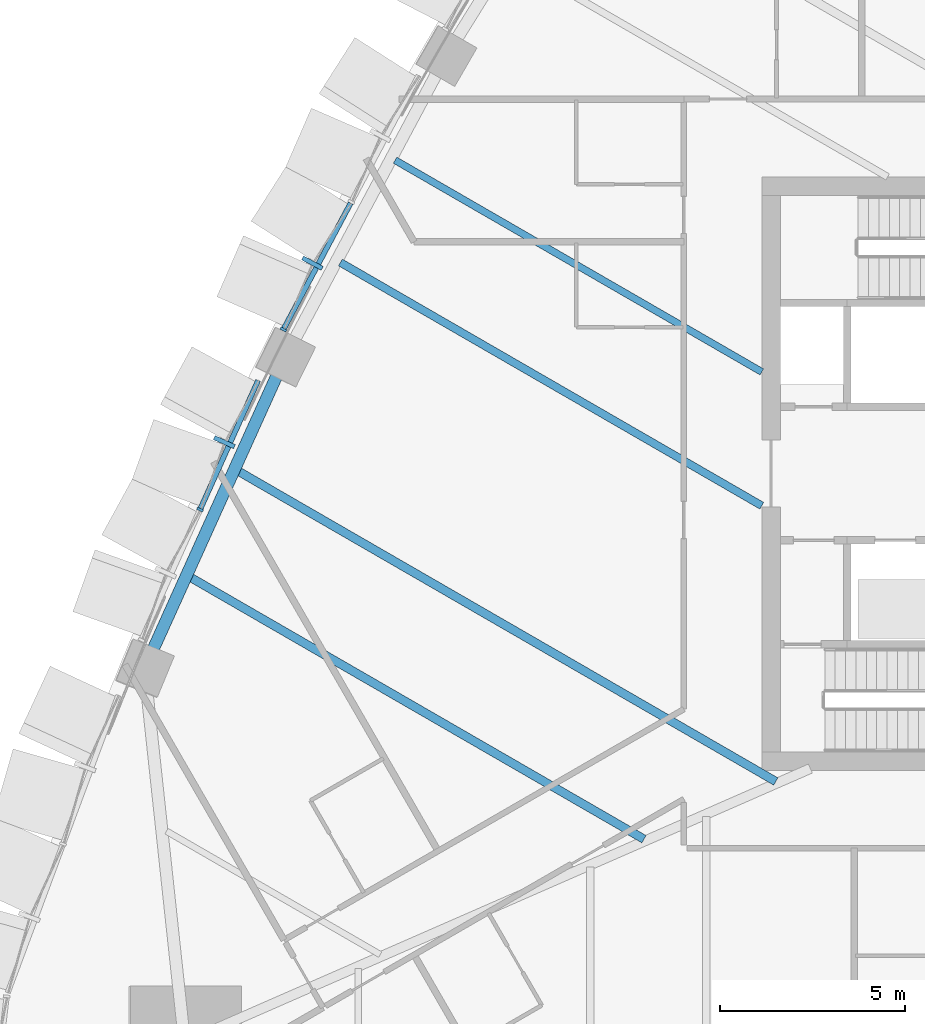
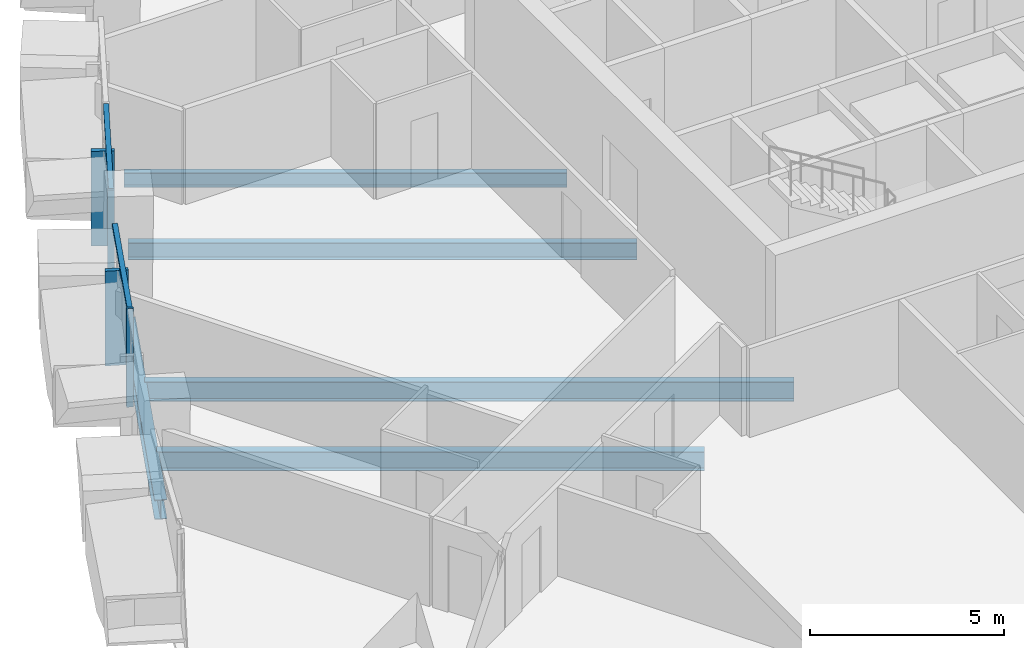
# One storey, part 3 of 23: 6 members, 5 beams, 2 elements without a shape of their own.
"""IFC4 building model written with IfcOpenShell, lengths in metres."""

from ifc_helpers import new_model, si_unit, direction, frame, origin, origin_2d, place, context, subcontext, project, spatial, rectangle, i_section, extrude, material, layer, layer_set, material_profile, profile_set, type_object, element, aggregate, save


model = new_model("IFC4")

# Units and contexts
model_context = context("Model", 3, precision=1e-05, world=origin(), true_north=direction((0.0, 1.0)))
body_context = subcontext(model_context, "Body", "Model", "MODEL_VIEW")
ifc_project = project(units=[si_unit("LENGTHUNIT", "METRE"), si_unit("AREAUNIT", "SQUARE_METRE"), si_unit("VOLUMEUNIT", "CUBIC_METRE"), si_unit("PLANEANGLEUNIT", "RADIAN"), si_unit("MASSUNIT", "GRAM", prefix="KILO")], contexts=[model_context])

# Site, building, storey
site_placement = place(None, origin())
site = spatial("IfcSite", under=ifc_project, at=site_placement, CompositionType="ELEMENT")
building_placement = place(site_placement, origin())
building = spatial("IfcBuilding", under=site, at=building_placement, Name="Sierra Prisma Convention Tower", CompositionType="ELEMENT")
storey_placement = place(building_placement, frame((0.0, 0.0, 70.199951171875)))
storey = spatial("IfcBuildingStorey", under=building, at=storey_placement, Name="L13", CompositionType="ELEMENT", Elevation=70.199951171875)

# Curtain wall, member
ifc_material_1 = material(Name="Aluminium and glass curtain wall", Category="aluminium")
ifc_layer = layer(ifc_material_1, 0.179931640625)
ifc_layer_set = layer_set([ifc_layer], Name="CW-2 Faceted crystal curtain wall")
curtain_wall_type = type_object("IfcCurtainWallType", Name="CW-2 Faceted crystal curtain wall", PredefinedType="NOTDEFINED", material=ifc_layer_set)
curtain_wall_1_placement = place(storey_placement, origin())
curtain_wall_1 = element("IfcCurtainWall", 1, at=curtain_wall_1_placement, inside=storey, type_object=curtain_wall_type, Name="CW-2 NW4 L13", PredefinedType="NOTDEFINED")
ifc_material_2 = material(Name="Aluminium 6063-T6 bronze anodised", Category="aluminium")
ifc_material_profile_1 = material_profile(ifc_material_2, rectangle(XDim=0.1201171875, YDim=0.60009765625, at=origin_2d()), Name="ALU RIDGE BLADE 120x600")
ifc_profile_set_1 = profile_set([ifc_material_profile_1], Name="Aluminium 6063-T6 bronze anodised")
member_type_1 = type_object("IfcMemberType", Name="CW hip bronze", PredefinedType="MULLION", material=ifc_profile_set_1)
member_1_placement = place(storey_placement, frame((-23.11669921875, 5.675537109375, 0.0), z_axis=(0.0, 0.0, 1.0), x_axis=(-0.469903654338, -0.882717710052, 0.0)))
member_1 = element("IfcMember", 2, at=member_1_placement, type_object=member_type_1, Name="CW-2 ridge NW4.2", PredefinedType="MULLION", context=body_context, shape_type="SweptSolid", body=[
    extrude(rectangle(XDim=0.1201171875, YDim=0.60009765625, at=origin_2d()), origin(), (0.0, 0.0, 1.0), 2.97998046875),
])

curtain_wall_2_placement = place(storey_placement, origin())
curtain_wall_2 = element("IfcCurtainWall", 3, at=curtain_wall_2_placement, inside=storey, type_object=curtain_wall_type, Name="CW-2 NW5 L13", PredefinedType="NOTDEFINED")
member_2_placement = place(storey_placement, frame((-25.491455078125, 0.84765625, 0.0), z_axis=(0.0, 0.0, 1.0), x_axis=(-0.410184231176, -0.912002684478, 0.0)))
member_2 = element("IfcMember", 4, at=member_2_placement, type_object=member_type_1, Name="CW-2 ridge NW5.1", PredefinedType="MULLION", context=body_context, shape_type="SweptSolid", body=[
    extrude(rectangle(XDim=0.1201171875, YDim=0.60009765625, at=origin_2d()), origin(), (0.0, 0.0, 1.0), 2.97998046875),
])

# Member
ifc_material_3 = material(Name="Aluminium 6063-T6 bronze anodised", Category="aluminium")
ifc_material_profile_2 = material_profile(ifc_material_3, rectangle(XDim=0.179931640625, YDim=0.070068359375, at=origin_2d()), Name="ALU MULLION 70x180")
ifc_profile_set_2 = profile_set([ifc_material_profile_2], Name="Aluminium 6063-T6 bronze anodised")
member_type_2 = type_object("IfcMemberType", Name="CW mullion bronze", PredefinedType="MULLION", material=ifc_profile_set_2)
member_3_placement = place(storey_placement, frame((-23.8994140625, 3.885009765625, 0.0), z_axis=(0.0, 0.0, 1.0), x_axis=(0.882717710052, -0.469903654338, 0.0)))
member_3 = element("IfcMember", 5, at=member_3_placement, type_object=member_type_2, Name="CW-1 mullion NW4.3", PredefinedType="MULLION", context=body_context, shape_type="SweptSolid", body=[
    extrude(rectangle(XDim=0.179931640625, YDim=0.070068359375, at=origin_2d()), origin(), (0.0, 0.0, 1.0), 3.10009765625),
])

member_4_placement = place(storey_placement, frame((-26.146240234375, -0.970703125, 0.0), z_axis=(0.0, 0.0, 1.0), x_axis=(0.912002684478, -0.410184231176, 0.0)))
member_4 = element("IfcMember", 6, at=member_4_placement, type_object=member_type_2, Name="CW-1 mullion NW5.2", PredefinedType="MULLION", context=body_context, shape_type="SweptSolid", body=[
    extrude(rectangle(XDim=0.179931640625, YDim=0.070068359375, at=origin_2d()), origin(), (0.0, 0.0, 1.0), 3.10009765625),
])

ifc_material_4 = material(Name="Aluminium 6063-T6 bronze anodised", Category="aluminium")
ifc_material_profile_3 = material_profile(ifc_material_4, rectangle(XDim=0.139892578125, YDim=0.1201171875, at=origin_2d()), Name="ALU TRANSOM 120x140")
ifc_profile_set_3 = profile_set([ifc_material_profile_3], Name="Aluminium 6063-T6 bronze anodised")
member_type_3 = type_object("IfcMemberType", Name="CW transom bronze", PredefinedType="USERDEFINED", material=ifc_profile_set_3)
member_5_placement = place(storey_placement, frame((-22.08447265625, 7.2939453125, 3.0400390625), z_axis=(-0.469906007456, -0.882716457395, 0.0), x_axis=(0.882716457395, -0.469906007456, 0.0)))
member_5 = element("IfcMember", 7, at=member_5_placement, type_object=member_type_3, Name="CW-1 transom NW4.2", ObjectType="TRANSOM", PredefinedType="USERDEFINED", context=body_context, shape_type="SweptSolid", body=[
    extrude(rectangle(XDim=0.139892578125, YDim=0.1201171875, at=origin_2d()), origin(), (0.0, 0.0, 1.0), 3.826904296875),
])

aggregate(curtain_wall_1, [member_3, member_5, member_1])

member_6_placement = place(storey_placement, frame((-24.57958984375, 2.511962890625, 3.0400390625), z_axis=(-0.410217121395, -0.911987890991, 0.0), x_axis=(0.911987890991, -0.410217121395, 0.0)))
member_6 = element("IfcMember", 8, at=member_6_placement, type_object=member_type_3, Name="CW-1 transom NW5.1", ObjectType="TRANSOM", PredefinedType="USERDEFINED", context=body_context, shape_type="SweptSolid", body=[
    extrude(rectangle(XDim=0.139892578125, YDim=0.1201171875, at=origin_2d()), origin(), (0.0, 0.0, 1.0), 3.783935546875),
])

aggregate(curtain_wall_2, [member_4, member_6, member_2])

# Beams
ifc_material_5 = material(Name="Steel ASTM A992 Gr 50", Category="steel")
ifc_material_profile_4 = material_profile(ifc_material_5, i_section(OverallWidth=0.18994140625, OverallDepth=0.45703125, WebThickness=0.009033203125, FlangeThickness=0.014404296875, at=origin_2d()), Name="W460x74")
ifc_profile_set_4 = profile_set([ifc_material_profile_4], Name="Steel ASTM A992 Gr 50")
beam_type_1 = type_object("IfcBeamType", Name="Floor joist W460x74", PredefinedType="JOIST", material=ifc_profile_set_4)
beam_1_placement = place(storey_placement, frame((-20.886962890625, 8.45068359375, -0.37841796875), z_axis=(0.866024976451, -0.500000740163, 0.0), x_axis=(0.500000740163, 0.866024976451, 0.0)))
element("IfcBeam", 9, at=beam_1_placement, inside=storey, type_object=beam_type_1, Name="Floor joist L13 NW10", PredefinedType="JOIST", context=body_context, shape_type="SweptSolid", body=[
    extrude(i_section(OverallWidth=0.18994140625, OverallDepth=0.45703125, WebThickness=0.009033203125, FlangeThickness=0.014404296875, at=origin_2d()), origin(), (0.0, 0.0, 1.0), 11.41650390625),
])
ifc_material_6 = material(Name="Steel ASTM A992 Gr 50", Category="steel")
ifc_material_profile_5 = material_profile(ifc_material_6, i_section(OverallWidth=0.208984375, OverallDepth=0.532958984375, WebThickness=0.01025390625, FlangeThickness=0.015625, at=origin_2d()), Name="W530x92")
ifc_profile_set_5 = profile_set([ifc_material_profile_5], Name="Steel ASTM A992 Gr 50")
beam_type_2 = type_object("IfcBeamType", Name="Floor joist W530x92", PredefinedType="JOIST", material=ifc_profile_set_5)
beam_2_placement = place(storey_placement, frame((-22.360107421875, 5.692626953125, -0.41650390625), z_axis=(0.866030927308, -0.499990432855, 0.0), x_axis=(0.499990432855, 0.866030927308, 0.0)))
element("IfcBeam", 10, at=beam_2_placement, inside=storey, type_object=beam_type_2, Name="Floor joist L13 NW11", PredefinedType="JOIST", context=body_context, shape_type="SweptSolid", body=[
    extrude(i_section(OverallWidth=0.208984375, OverallDepth=0.532958984375, WebThickness=0.01025390625, FlangeThickness=0.015625, at=origin_2d()), origin(), (0.0, 0.0, 1.0), 13.117431640625),
])
ifc_material_7 = material(Name="Steel ASTM A992 Gr 50", Category="steel")
ifc_material_profile_6 = material_profile(ifc_material_7, i_section(OverallWidth=0.22802734375, OverallDepth=0.60302734375, WebThickness=0.010498046875, FlangeThickness=0.014892578125, at=origin_2d()), Name="W610x101")
ifc_profile_set_6 = profile_set([ifc_material_profile_6], Name="Steel ASTM A992 Gr 50")
beam_type_3 = type_object("IfcBeamType", Name="Floor joist W610x101", PredefinedType="JOIST", material=ifc_profile_set_6)
beam_3_placement = place(storey_placement, frame((-25.11572265625, 0.066650390625, -0.451416015625), z_axis=(0.866029876634, -0.499992252716, 0.0), x_axis=(0.499992252716, 0.866029876634, 0.0)))
element("IfcBeam", 11, at=beam_3_placement, inside=storey, type_object=beam_type_3, Name="Floor joist L13 NW13", PredefinedType="JOIST", context=body_context, shape_type="SweptSolid", body=[
    extrude(i_section(OverallWidth=0.22802734375, OverallDepth=0.60302734375, WebThickness=0.010498046875, FlangeThickness=0.014892578125, at=origin_2d()), origin(), (0.0, 0.0, 1.0), 16.736572265625),
])
beam_4_placement = place(storey_placement, frame((-26.408935546875, -2.795166015625, -0.451416015625), z_axis=(0.866029579245, -0.49999276782, 0.0), x_axis=(0.49999276782, 0.866029579245, 0.0)))
element("IfcBeam", 12, at=beam_4_placement, inside=storey, type_object=beam_type_3, Name="Floor joist L13 NW14", PredefinedType="JOIST", context=body_context, shape_type="SweptSolid", body=[
    extrude(i_section(OverallWidth=0.22802734375, OverallDepth=0.60302734375, WebThickness=0.010498046875, FlangeThickness=0.014892578125, at=origin_2d()), origin(), (0.0, 0.0, 1.0), 14.124755859375),
])
ifc_material_8 = material(Name="Steel ASTM A992 Gr 50", Category="steel")
ifc_material_profile_7 = material_profile(ifc_material_8, i_section(OverallWidth=0.324951171875, OverallDepth=0.615966796875, WebThickness=0.013916015625, FlangeThickness=0.021484375, at=origin_2d()), Name="W610x174")
ifc_profile_set_7 = profile_set([ifc_material_profile_7], Name="Steel ASTM A992 Gr 50")
beam_type_4 = type_object("IfcBeamType", Name="Spandrel beam W610x174", PredefinedType="BEAM", material=ifc_profile_set_7)
beam_5_placement = place(storey_placement, frame((-24.049072265625, 2.70166015625, -0.4580078125), z_axis=(-0.411753198673, -0.91129539853, 0.0), x_axis=(0.91129539853, -0.411753198673, 0.0)))
element("IfcBeam", 13, at=beam_5_placement, inside=storey, type_object=beam_type_4, Name="Spandrel L13-17", PredefinedType="BEAM", context=body_context, shape_type="SweptSolid", body=[
    extrude(i_section(OverallWidth=0.324951171875, OverallDepth=0.615966796875, WebThickness=0.013916015625, FlangeThickness=0.021484375, at=origin_2d()), origin(), (0.0, 0.0, 1.0), 8.251220703125),
])

save(model, "model.ifc")
